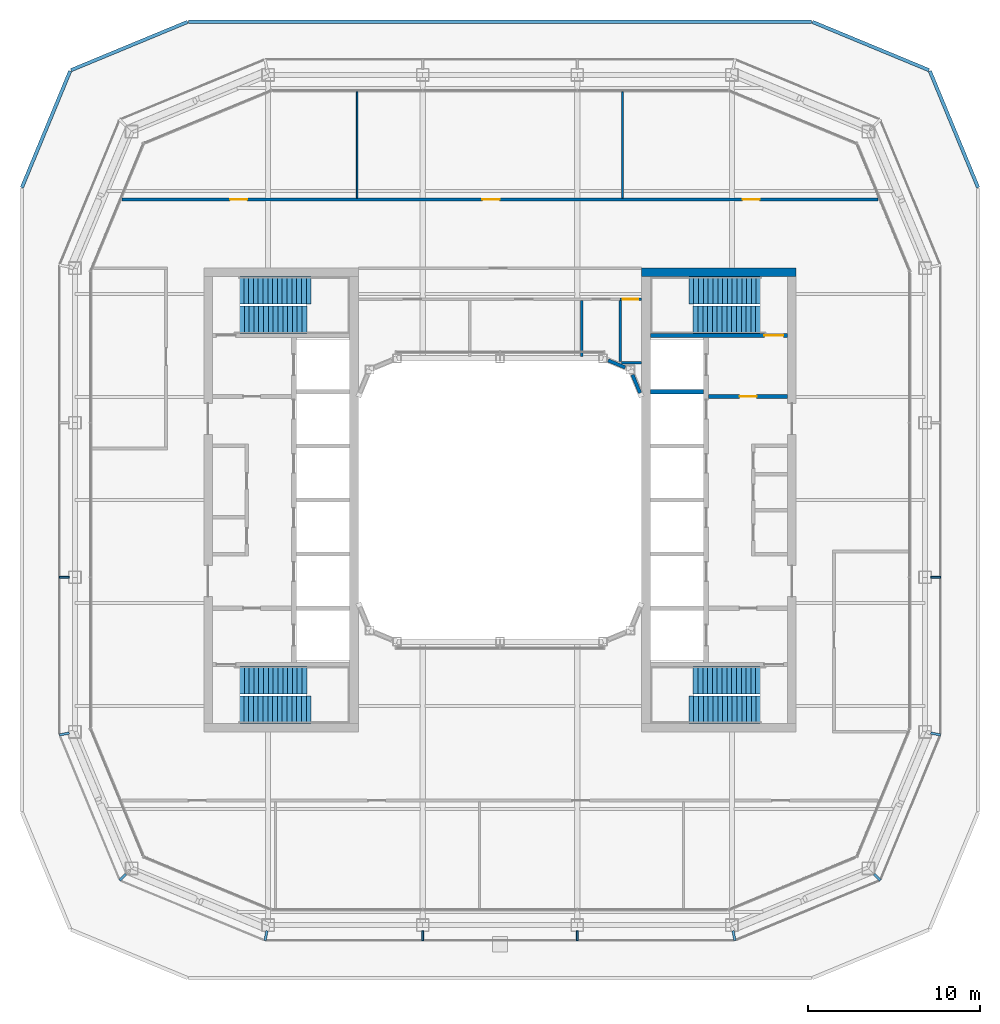
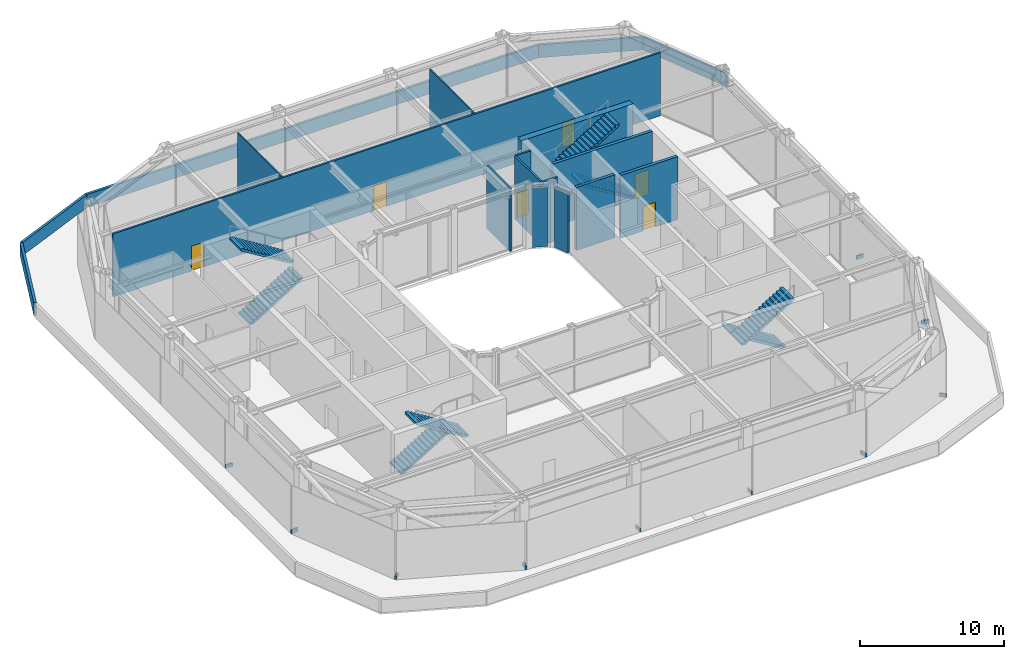
# One storey, part 12 of 17: 18 walls, 10 discrete accessories, 8 stair flights, 6 doors, 6 openings, 4 elements without a shape of their own.
"""IFC4 building model written with IfcOpenShell, lengths in metres."""

from ifc_helpers import new_model, si_unit, direction, frame, frame_2d, origin, origin_2d, place, context, subcontext, project, spatial, polyline, rectangle, outline, extrude, material, layer, layer_set, type_object, element, fill, aggregate, save


model = new_model("IFC4")

# Units and contexts
model_context = context("Model", 3, precision=1e-05, world=origin(), true_north=direction((0.0, 1.0)))
body_context = subcontext(model_context, "Body", "Model", "MODEL_VIEW")
ifc_project = project(units=[si_unit("LENGTHUNIT", "METRE"), si_unit("AREAUNIT", "SQUARE_METRE"), si_unit("VOLUMEUNIT", "CUBIC_METRE"), si_unit("PLANEANGLEUNIT", "RADIAN"), si_unit("MASSUNIT", "GRAM", prefix="KILO")], contexts=[model_context])

# Site, building, storey
site_placement = place(None, origin())
site = spatial("IfcSite", under=ifc_project, at=site_placement, CompositionType="ELEMENT")
building_placement = place(site_placement, origin())
building = spatial("IfcBuilding", under=site, at=building_placement, Name="Siwar Civic Tower", CompositionType="ELEMENT")
storey_placement = place(building_placement, frame((0.0, 0.0, 284.199951171875)))
storey = spatial("IfcBuildingStorey", under=building, at=storey_placement, Name="L61", CompositionType="ELEMENT", Elevation=284.199951171875)

# Wall
ifc_material_1 = material(Name="Gypsum board on steel studs", Category="steel")
ifc_layer_1 = layer(ifc_material_1, 0.14990234375)
ifc_layer_set_1 = layer_set([ifc_layer_1], Name="Gypsum board on steel studs")
wall_type_1 = type_object("IfcWallType", Name="COMPARTMENT PARTITION 150 EI 60", PredefinedType="PARTITIONING", material=ifc_layer_set_1)
wall_1_placement = place(storey_placement, frame((7.0849609375, 7.9951171875, 0.0), z_axis=(0.0, 0.0, 1.0), x_axis=(1.0, 0.0, 0.0)))
element("IfcWall", 1, at=wall_1_placement, inside=storey, type_object=wall_type_1, Name="L61/wall/P05", PredefinedType="PARTITIONING", context=body_context, shape_type="SweptSolid", body=[
    extrude(rectangle(XDim=1.1650390625, YDim=0.14990234375, at=frame_2d((0.58251953125, 0.0))), origin(), (0.0, 0.0, 1.0), 5.35009765625),
])

# Wall, opening, door
wall_2_placement = place(storey_placement, frame((7.0, 11.699951171875, 0.0), z_axis=(0.0, 0.0, 1.0), x_axis=(1.0, 0.0, 0.0)))
wall_2 = element("IfcWall", 2, at=wall_2_placement, inside=storey, type_object=wall_type_1, Name="L61/wall/P07", PredefinedType="PARTITIONING", context=body_context, shape_type="SweptSolid", body=[
    extrude(rectangle(XDim=1.25, YDim=0.14990234375, at=frame_2d((0.625, 0.0))), origin(), (0.0, 0.0, 1.0), 5.35009765625),
])
opening_1_placement = place(wall_2_placement, frame((0.14990234375, 0.0, 0.0)))
opening_1 = element("IfcOpeningElement", 3, at=opening_1_placement, cuts=wall_2, Name="Opening D4", PredefinedType="OPENING", context=body_context, shape_type="SweptSolid", body=[
    extrude(rectangle(XDim=0.89990234375, YDim=2.10009765625, at=frame_2d((0.449951171875, 1.050048828125))), frame((0.0, 0.0849609375, 0.0), z_axis=(0.0, -1.0, 0.0), x_axis=(1.0, 0.0, 0.0)), (0.0, 0.0, 1.0), 0.169921875),
])
ifc_material_2 = material(Name="Timber, painted", Category="wood")
door_type_1 = type_object("IfcDoorType", Name="DOOR 900 X 2100 FD60", OperationType="SINGLE_SWING_LEFT", PredefinedType="DOOR", material=ifc_material_2)
door_1_placement = place(opening_1_placement, origin())
door_1 = element("IfcDoor", 4, at=door_1_placement, inside=storey, type_object=door_type_1, Name="L61-D12", OperationType="SINGLE_SWING_RIGHT", OverallHeight=2.10009765625, OverallWidth=0.89990234375, PredefinedType="DOOR", context=body_context, shape_type="SweptSolid", body=[
    extrude(rectangle(XDim=0.89990234375, YDim=2.10009765625, at=frame_2d((0.449951171875, 1.050048828125))), frame((0.0, 0.02490234375, 0.0), z_axis=(0.0, -1.0, 0.0), x_axis=(1.0, 0.0, 0.0)), (0.0, 0.0, 1.0), 0.050048828125),
])
fill(opening_1, door_1)

# Wall
wall_3_placement = place(storey_placement, frame((7.0, 8.070068359375, 0.0), z_axis=(0.0, 0.0, 1.0), x_axis=(0.0, 1.0, 0.0)))
element("IfcWall", 5, at=wall_3_placement, inside=storey, type_object=wall_type_1, Name="L61/wall/P17", PredefinedType="PARTITIONING", context=body_context, shape_type="SweptSolid", body=[
    extrude(rectangle(XDim=3.554931640625, YDim=0.14990234375, at=frame_2d((1.77734375, 0.0))), origin(), (0.0, 0.0, 1.0), 5.35009765625),
])

# Wall, opening, door
ifc_material_3 = material(Name="Concrete C60/75", Category="concrete")
ifc_layer_2 = layer(ifc_material_3, 0.25)
ifc_layer_set_2 = layer_set([ifc_layer_2], Name="Concrete C60/75")
wall_type_2 = type_object("IfcWallType", Name="CORE-WALL-RC250", PredefinedType="SHEAR", material=ifc_layer_set_2)
wall_4_placement = place(storey_placement, frame((12.14990234375, 6.02490234375, 0.0), z_axis=(0.0, 0.0, 1.0), x_axis=(1.0, 0.0, 0.0)))
wall_4 = element("IfcWall", 6, at=wall_4_placement, inside=storey, type_object=wall_type_2, Name="Core wall E", PredefinedType="SHEAR", context=body_context, shape_type="SweptSolid", body=[
    extrude(rectangle(XDim=4.60009765625, YDim=0.25, at=frame_2d((2.300048828125, 0.0))), origin(), (0.0, 0.0, 1.0), 5.35009765625),
])
opening_2_placement = place(wall_4_placement, frame((1.800048828125, 0.0, 0.0)))
opening_2 = element("IfcOpeningElement", 7, at=opening_2_placement, cuts=wall_4, Name="Opening L61-CE01", PredefinedType="OPENING", context=body_context, shape_type="SweptSolid", body=[
    extrude(rectangle(XDim=1.0, YDim=2.10009765625, at=frame_2d((0.5, 1.050048828125))), frame((0.0, 0.135009765625, 0.0), z_axis=(0.0, -1.0, 0.0), x_axis=(1.0, 0.0, 0.0)), (0.0, 0.0, 1.0), 0.27001953125),
])
ifc_material_4 = material(Name="Steel door leaf", Category="steel")
door_type_2 = type_object("IfcDoorType", Name="CORE-DOOR-FD30S", OperationType="SINGLE_SWING_LEFT", PredefinedType="DOOR", material=ifc_material_4)
door_2_placement = place(opening_2_placement, origin())
door_2 = element("IfcDoor", 8, at=door_2_placement, inside=storey, type_object=door_type_2, Name="Firefighting lobby door L61-CE01", OperationType="SINGLE_SWING_RIGHT", OverallHeight=2.10009765625, OverallWidth=1.0, PredefinedType="DOOR", context=body_context, shape_type="SweptSolid", body=[
    extrude(rectangle(XDim=1.0, YDim=2.10009765625, at=frame_2d((0.5, 1.050048828125))), frame((0.0, 0.02490234375, 0.0), z_axis=(0.0, -1.0, 0.0), x_axis=(1.0, 0.0, 0.0)), (0.0, 0.0, 1.0), 0.050048828125),
])
fill(opening_2, door_2)

# Wall
wall_5_placement = place(storey_placement, frame((8.75, 6.300048828125, 0.0), z_axis=(0.0, 0.0, 1.0), x_axis=(1.0, 0.0, 0.0)))
element("IfcWall", 9, at=wall_5_placement, inside=storey, type_object=wall_type_2, Name="Core wall E", PredefinedType="SHEAR", context=body_context, shape_type="SweptSolid", body=[
    extrude(rectangle(XDim=3.10009765625, YDim=0.25, at=frame_2d((1.550048828125, 0.0))), origin(), (0.0, 0.0, 1.0), 5.35009765625),
])

# Wall, opening, door
wall_6_placement = place(storey_placement, frame((8.75, 9.574951171875, 0.0), z_axis=(0.0, 0.0, 1.0), x_axis=(1.0, 0.0, 0.0)))
wall_6 = element("IfcWall", 10, at=wall_6_placement, inside=storey, type_object=wall_type_2, Name="Core wall E", PredefinedType="SHEAR", context=body_context, shape_type="SweptSolid", body=[
    extrude(rectangle(XDim=8.0, YDim=0.25, at=frame_2d((4.0, 0.0))), origin(), (0.0, 0.0, 1.0), 5.35009765625),
])
opening_3_placement = place(wall_6_placement, frame((6.64990234375, 0.0, 0.0)))
opening_3 = element("IfcOpeningElement", 11, at=opening_3_placement, cuts=wall_6, Name="Opening L61-CE03", PredefinedType="OPENING", context=body_context, shape_type="SweptSolid", body=[
    extrude(rectangle(XDim=1.10009765625, YDim=2.10009765625, at=frame_2d((0.550048828125, 1.050048828125))), frame((0.0, 0.135009765625, 0.0), z_axis=(0.0, -1.0, 0.0), x_axis=(1.0, 0.0, 0.0)), (0.0, 0.0, 1.0), 0.27001953125),
])
ifc_material_5 = material(Name="Steel door leaf", Category="steel")
door_type_3 = type_object("IfcDoorType", Name="CORE-DOOR-FD60S", OperationType="SINGLE_SWING_LEFT", PredefinedType="DOOR", material=ifc_material_5)
door_3_placement = place(opening_3_placement, origin())
door_3 = element("IfcDoor", 12, at=door_3_placement, inside=storey, type_object=door_type_3, Name="Stair door L61-CE03", OperationType="SINGLE_SWING_LEFT", OverallHeight=2.10009765625, OverallWidth=1.10009765625, PredefinedType="DOOR", context=body_context, shape_type="SweptSolid", body=[
    extrude(rectangle(XDim=1.10009765625, YDim=2.10009765625, at=frame_2d((0.550048828125, 1.050048828125))), frame((0.0, 0.02490234375, 0.0), z_axis=(0.0, -1.0, 0.0), x_axis=(1.0, 0.0, 0.0)), (0.0, 0.0, 1.0), 0.050048828125),
])
fill(opening_3, door_3)

# Wall
ifc_material_6 = material(Name="Concrete C60/75", Category="concrete")
ifc_layer_3 = layer(ifc_material_6, 0.5)
ifc_layer_set_3 = layer_set([ifc_layer_3], Name="Concrete C60/75")
wall_type_3 = type_object("IfcWallType", Name="CORE-WALL-RC500", PredefinedType="SHEAR", material=ifc_layer_set_3)
wall_7_placement = place(storey_placement, frame((8.25, 13.25, 0.0), z_axis=(0.0, 0.0, 1.0), x_axis=(1.0, 0.0, 0.0)))
element("IfcWall", 13, at=wall_7_placement, inside=storey, type_object=wall_type_3, Name="Core wall E", PredefinedType="SHEAR", context=body_context, shape_type="SweptSolid", body=[
    extrude(rectangle(XDim=9.0, YDim=0.5, at=frame_2d((4.5, 0.0))), origin(), (0.0, 0.0, 1.0), 5.35009765625),
])

# Wall, openings, doors
ifc_material_7 = material(Name="Gypsum board on steel studs", Category="steel")
ifc_layer_4 = layer(ifc_material_7, 0.14990234375)
ifc_layer_set_4 = layer_set([ifc_layer_4], Name="Gypsum board on steel studs")
wall_type_4 = type_object("IfcWallType", Name="CORRIDOR PARTITION 150 EI 30", PredefinedType="PARTITIONING", material=ifc_layer_set_4)
wall_8_placement = place(storey_placement, frame((-22.02099609375, 17.5, 0.0), z_axis=(0.0, 0.0, 1.0), x_axis=(1.0, 0.0, 0.0)))
wall_8 = element("IfcWall", 14, at=wall_8_placement, inside=storey, type_object=wall_type_4, Name="L61/wall/P10", PredefinedType="PARTITIONING", context=body_context, shape_type="SweptSolid", body=[
    extrude(rectangle(XDim=44.0419921875, YDim=0.14990234375, at=frame_2d((22.02099609375, 0.0))), origin(), (0.0, 0.0, 1.0), 5.35009765625),
])
opening_4_placement = place(wall_8_placement, frame((6.301025390625, 0.0, 0.0)))
opening_4 = element("IfcOpeningElement", 15, at=opening_4_placement, cuts=wall_8, Name="Opening D1", PredefinedType="OPENING", context=body_context, shape_type="SweptSolid", body=[
    extrude(rectangle(XDim=1.0, YDim=2.10009765625, at=frame_2d((0.5, 1.050048828125))), frame((0.0, 0.0849609375, 0.0), z_axis=(0.0, -1.0, 0.0), x_axis=(1.0, 0.0, 0.0)), (0.0, 0.0, 1.0), 0.169921875),
])
opening_5_placement = place(wall_8_placement, frame((21.0009765625, 0.0, 0.0)))
opening_5 = element("IfcOpeningElement", 16, at=opening_5_placement, cuts=wall_8, Name="Opening D1", PredefinedType="OPENING", context=body_context, shape_type="SweptSolid", body=[
    extrude(rectangle(XDim=1.0, YDim=2.10009765625, at=frame_2d((0.5, 1.050048828125))), frame((0.0, 0.0849609375, 0.0), z_axis=(0.0, -1.0, 0.0), x_axis=(1.0, 0.0, 0.0)), (0.0, 0.0, 1.0), 0.169921875),
])
opening_6_placement = place(wall_8_placement, frame((36.14208984375, 0.0, 0.0)))
opening_6 = element("IfcOpeningElement", 17, at=opening_6_placement, cuts=wall_8, Name="Opening D1", PredefinedType="OPENING", context=body_context, shape_type="SweptSolid", body=[
    extrude(rectangle(XDim=1.0, YDim=2.10009765625, at=frame_2d((0.5, 1.050048828125))), frame((0.0, 0.0849609375, 0.0), z_axis=(0.0, -1.0, 0.0), x_axis=(1.0, 0.0, 0.0)), (0.0, 0.0, 1.0), 0.169921875),
])
ifc_material_8 = material(Name="Timber, painted", Category="wood")
door_type_4 = type_object("IfcDoorType", Name="DOOR 1000 X 2100 FD30", OperationType="SINGLE_SWING_LEFT", PredefinedType="DOOR", material=ifc_material_8)
door_4_placement = place(opening_4_placement, origin())
door_4 = element("IfcDoor", 18, at=door_4_placement, inside=storey, type_object=door_type_4, Name="L61-D01", OperationType="SINGLE_SWING_LEFT", OverallHeight=2.10009765625, OverallWidth=1.0, PredefinedType="DOOR", context=body_context, shape_type="SweptSolid", body=[
    extrude(rectangle(XDim=1.0, YDim=2.10009765625, at=frame_2d((0.5, 1.050048828125))), frame((0.0, 0.02490234375, 0.0), z_axis=(0.0, -1.0, 0.0), x_axis=(1.0, 0.0, 0.0)), (0.0, 0.0, 1.0), 0.050048828125),
])
fill(opening_4, door_4)
door_5_placement = place(opening_5_placement, origin())
door_5 = element("IfcDoor", 19, at=door_5_placement, inside=storey, type_object=door_type_4, Name="L61-D02", OperationType="SINGLE_SWING_RIGHT", OverallHeight=2.10009765625, OverallWidth=1.0, PredefinedType="DOOR", context=body_context, shape_type="SweptSolid", body=[
    extrude(rectangle(XDim=1.0, YDim=2.10009765625, at=frame_2d((0.5, 1.050048828125))), frame((0.0, 0.02490234375, 0.0), z_axis=(0.0, -1.0, 0.0), x_axis=(1.0, 0.0, 0.0)), (0.0, 0.0, 1.0), 0.050048828125),
])
fill(opening_5, door_5)
door_6_placement = place(opening_6_placement, origin())
door_6 = element("IfcDoor", 20, at=door_6_placement, inside=storey, type_object=door_type_4, Name="L61-D03", OperationType="SINGLE_SWING_LEFT", OverallHeight=2.10009765625, OverallWidth=1.0, PredefinedType="DOOR", context=body_context, shape_type="SweptSolid", body=[
    extrude(rectangle(XDim=1.0, YDim=2.10009765625, at=frame_2d((0.5, 1.050048828125))), frame((0.0, 0.02490234375, 0.0), z_axis=(0.0, -1.0, 0.0), x_axis=(1.0, 0.0, 0.0)), (0.0, 0.0, 1.0), 0.050048828125),
])
fill(opening_6, door_6)

# Walls
wall_9_placement = place(storey_placement, frame((4.75, 8.3701171875, 0.0), z_axis=(0.0, 0.0, 1.0), x_axis=(0.0, 1.0, 0.0)))
element("IfcWall", 21, at=wall_9_placement, inside=storey, type_object=wall_type_4, Name="L61/wall/P16", PredefinedType="PARTITIONING", context=body_context, shape_type="SweptSolid", body=[
    extrude(rectangle(XDim=3.2548828125, YDim=0.14990234375, at=frame_2d((1.62744140625, 0.0))), origin(), (0.0, 0.0, 1.0), 5.35009765625),
])
ifc_material_9 = material(Name="Aluminium clad insulated panel", Category="aluminium")
ifc_layer_5 = layer(ifc_material_9, 0.199951171875)
ifc_layer_set_5 = layer_set([ifc_layer_5], Name="Aluminium clad insulated panel")
wall_type_5 = type_object("IfcWallType", Name="ENV-PARAPET", PredefinedType="PARAPET", material=ifc_layer_set_5)
for number, where, z_axis, x_axis, name in (
    (22, (27.84228515625, 18.1875, 0.0), (0.0, 0.0, 1.0), (-0.382682396439, 0.923879961605, 0.0), "Parapet L60 roof 1.6"),
    (23, (24.976318359375, 25.0302734375, 0.0), (0.0, 0.0, 1.0), (-0.923879961605, 0.382682396439, 0.0), "Parapet L60 roof 1.7"),
):
    element("IfcWall", number, at=place(storey_placement, frame(where, z_axis=z_axis, x_axis=x_axis)), inside=storey, type_object=wall_type_5, Name=name, PredefinedType="PARAPET", context=body_context, shape_type="SweptSolid", body=[
        extrude(rectangle(XDim=7.34814453125, YDim=0.199951171875, at=frame_2d((3.674072265625, 0.0))), origin(), (0.0, 0.0, 1.0), 1.10009765625),
    ])
wall_10_placement = place(storey_placement, frame((18.149169921875, 27.85009765625, 0.0), z_axis=(0.0, 0.0, 1.0), x_axis=(-1.0, 0.0, 0.0)))
element("IfcWall", 24, at=wall_10_placement, inside=storey, type_object=wall_type_5, Name="Parapet L60 roof 1.8", PredefinedType="PARAPET", context=body_context, shape_type="SweptSolid", body=[
    extrude(rectangle(XDim=36.29833984375, YDim=0.199951171875, at=frame_2d((18.149169921875, 0.0))), origin(), (0.0, 0.0, 1.0), 1.10009765625),
])
for number, where, z_axis, x_axis, name in (
    (25, (-18.1875, 27.84228515625, 0.0), (0.0, 0.0, 1.0), (-0.923879961605, -0.382682396439, 0.0), "Parapet L60 roof 1.9"),
    (26, (-25.0302734375, 24.976318359375, 0.0), (0.0, 0.0, 1.0), (-0.382682396439, -0.923879961605, 0.0), "Parapet L60 roof 1.10"),
):
    element("IfcWall", number, at=place(storey_placement, frame(where, z_axis=z_axis, x_axis=x_axis)), inside=storey, type_object=wall_type_5, Name=name, PredefinedType="PARAPET", context=body_context, shape_type="SweptSolid", body=[
        extrude(rectangle(XDim=7.34814453125, YDim=0.199951171875, at=frame_2d((3.674072265625, 0.0))), origin(), (0.0, 0.0, 1.0), 1.10009765625),
    ])
ifc_material_10 = material(Name="Aluminium clad insulated panel", Category="aluminium")
ifc_layer_6 = layer(ifc_material_10, 0.199951171875)
ifc_layer_set_6 = layer_set([ifc_layer_6], Name="Aluminium clad insulated panel")
wall_type_6 = type_object("IfcWallType", Name="ENV-WALL-WELL", PredefinedType="STANDARD", material=ifc_layer_set_6)
wall_11_placement = place(storey_placement, frame((8.154296875, 6.23095703125, 0.0), z_axis=(0.0, 0.0, 1.0), x_axis=(-0.382571404949, 0.923925927829, 0.0)))
element("IfcWall", 27, at=wall_11_placement, inside=storey, type_object=wall_type_6, Name="Light well corner wall NE1", PredefinedType="STANDARD", context=body_context, shape_type="SweptSolid", body=[
    extrude(rectangle(XDim=1.1455078125, YDim=0.199951171875, at=frame_2d((0.57275390625, 0.0))), origin(), (0.0, 0.0, 1.0), 5.010009765625),
])
wall_12_placement = place(storey_placement, frame((7.289306640625, 7.716064453125, 0.0), z_axis=(0.0, 0.0, 1.0), x_axis=(-0.923919409248, 0.382587147216, 0.0)))
element("IfcWall", 28, at=wall_12_placement, inside=storey, type_object=wall_type_6, Name="Light well corner wall NE2", PredefinedType="STANDARD", context=body_context, shape_type="SweptSolid", body=[
    extrude(rectangle(XDim=1.06884765625, YDim=0.199951171875, at=frame_2d((0.534423828125, 0.0))), origin(), (0.0, 0.0, 1.0), 5.010009765625),
])
ifc_material_11 = material(Name="Gypsum board on steel studs", Category="steel")
ifc_layer_7 = layer(ifc_material_11, 0.10009765625)
ifc_layer_set_7 = layer_set([ifc_layer_7], Name="Gypsum board on steel studs")
wall_type_7 = type_object("IfcWallType", Name="PARTITION 100 GYPSUM", PredefinedType="PARTITIONING", material=ifc_layer_set_7)
for number, where, z_axis, x_axis, name in (
    (29, (-8.320068359375, 17.574951171875, 0.0), (0.0, 0.0, 1.0), (0.0, 1.0, 0.0), "L61/wall/P13"),
    (30, (7.1298828125, 17.574951171875, 0.0), (0.0, 0.0, 1.0), (0.0, 1.0, 0.0), "L61/wall/P18"),
):
    element("IfcWall", number, at=place(storey_placement, frame(where, z_axis=z_axis, x_axis=x_axis)), inside=storey, type_object=wall_type_7, Name=name, PredefinedType="PARTITIONING", context=body_context, shape_type="SweptSolid", body=[
        extrude(rectangle(XDim=6.18505859375, YDim=0.10009765625, at=frame_2d((3.092529296875, 0.0))), origin(), (0.0, 0.0, 1.0), 5.35009765625),
    ])

# Stair, stair flights
ifc_material_12 = material(Name="Concrete C40/50", Category="concrete")
stair_type = type_object("IfcStairType", Name="CORE-STAIR", PredefinedType="TWO_STRAIGHT_RUN_STAIR", material=ifc_material_12)
stair_1_placement = place(storey_placement, origin())
stair_1 = element("IfcStair", 31, at=stair_1_placement, inside=storey, type_object=stair_type, Name="Exit stair ST1", PredefinedType="TWO_STRAIGHT_RUN_STAIR")
ifc_material_13 = material(Name="Concrete C40/50", Category="concrete")
stair_flight_type = type_object("IfcStairFlightType", Name="CORE-STAIR-FLIGHT", PredefinedType="STRAIGHT", material=ifc_material_13)
stair_flight_1_placement = place(storey_placement, frame((-15.449951171875, 10.5, 0.0), z_axis=(0.0, 0.0, 1.0), x_axis=(1.0, 0.0, 0.0)))
stair_flight_1 = element("IfcStairFlight", 32, at=stair_flight_1_placement, type_object=stair_flight_type, Name="ST1 flight 1", NumberOfRisers=16, NumberOfTreads=15, PredefinedType="STRAIGHT", RiserHeight=0.171875, TreadLength=0.28, context=body_context, shape_type="SweptSolid", body=[
    extrude(outline(polyline([(0.0, 0.0), (0.0, 0.171875), (0.280029296875, 0.171875), (0.280029296875, 0.34375), (0.56005859375, 0.34375), (0.56005859375, 0.515625), (0.840087890625, 0.515625), (0.840087890625, 0.6875), (1.1201171875, 0.6875), (1.1201171875, 0.859375), (1.39990234375, 0.859375), (1.39990234375, 1.03125), (1.679931640625, 1.03125), (1.679931640625, 1.203125), (1.9599609375, 1.203125), (1.9599609375, 1.375), (2.239990234375, 1.375), (2.239990234375, 1.546875), (2.52001953125, 1.546875), (2.52001953125, 1.71875), (2.800048828125, 1.71875), (2.800048828125, 1.890625), (3.080078125, 1.890625), (3.080078125, 2.0625), (3.360107421875, 2.0625), (3.360107421875, 2.234375), (3.639892578125, 2.234375), (3.639892578125, 2.40625), (3.919921875, 2.40625), (3.919921875, 2.578125), (4.199951171875, 2.578125), (4.199951171875, 2.75), (4.199951171875, 2.40234375), (0.28662109375, 0.0), (0.0, 0.0)])), frame((0.0, 0.800048828125, 0.0), z_axis=(0.0, -1.0, 0.0), x_axis=(1.0, 0.0, 0.0)), (0.0, 0.0, 1.0), 1.60009765625),
])
stair_flight_2_placement = place(storey_placement, frame((-11.0, 12.199951171875, 2.75), z_axis=(0.0, 0.0, 1.0), x_axis=(-1.0, 0.0, 0.0)))
stair_flight_2 = element("IfcStairFlight", 33, at=stair_flight_2_placement, type_object=stair_flight_type, Name="ST1 flight 2", NumberOfRisers=16, NumberOfTreads=15, PredefinedType="STRAIGHT", RiserHeight=0.171875, TreadLength=0.28, context=body_context, shape_type="SweptSolid", body=[
    extrude(outline(polyline([(0.0, 0.0), (0.0, 0.171875), (0.280029296875, 0.171875), (0.280029296875, 0.34375), (0.56005859375, 0.34375), (0.56005859375, 0.515625), (0.840087890625, 0.515625), (0.840087890625, 0.6875), (1.1201171875, 0.6875), (1.1201171875, 0.859375), (1.39990234375, 0.859375), (1.39990234375, 1.03125), (1.679931640625, 1.03125), (1.679931640625, 1.203125), (1.9599609375, 1.203125), (1.9599609375, 1.375), (2.239990234375, 1.375), (2.239990234375, 1.546875), (2.52001953125, 1.546875), (2.52001953125, 1.71875), (2.800048828125, 1.71875), (2.800048828125, 1.890625), (3.080078125, 1.890625), (3.080078125, 2.0625), (3.360107421875, 2.0625), (3.360107421875, 2.234375), (3.639892578125, 2.234375), (3.639892578125, 2.40625), (3.919921875, 2.40625), (3.919921875, 2.578125), (4.199951171875, 2.578125), (4.199951171875, 2.75), (4.199951171875, 2.40234375), (0.28662109375, 0.0), (0.0, 0.0)])), frame((0.0, 0.800048828125, 0.0), z_axis=(0.0, -1.0, 0.0), x_axis=(1.0, 0.0, 0.0)), (0.0, 0.0, 1.0), 1.60009765625),
])
aggregate(stair_1, [stair_flight_1, stair_flight_2])

stair_2_placement = place(storey_placement, origin())
stair_2 = element("IfcStair", 34, at=stair_2_placement, inside=storey, type_object=stair_type, Name="Exit stair ST2", PredefinedType="TWO_STRAIGHT_RUN_STAIR")
stair_flight_3_placement = place(storey_placement, frame((-15.449951171875, -10.5, 0.0), z_axis=(0.0, 0.0, 1.0), x_axis=(1.0, 0.0, 0.0)))
stair_flight_3 = element("IfcStairFlight", 35, at=stair_flight_3_placement, type_object=stair_flight_type, Name="ST2 flight 1", NumberOfRisers=16, NumberOfTreads=15, PredefinedType="STRAIGHT", RiserHeight=0.171875, TreadLength=0.28, context=body_context, shape_type="SweptSolid", body=[
    extrude(outline(polyline([(0.0, 0.0), (0.0, 0.171875), (0.280029296875, 0.171875), (0.280029296875, 0.34375), (0.56005859375, 0.34375), (0.56005859375, 0.515625), (0.840087890625, 0.515625), (0.840087890625, 0.6875), (1.1201171875, 0.6875), (1.1201171875, 0.859375), (1.39990234375, 0.859375), (1.39990234375, 1.03125), (1.679931640625, 1.03125), (1.679931640625, 1.203125), (1.9599609375, 1.203125), (1.9599609375, 1.375), (2.239990234375, 1.375), (2.239990234375, 1.546875), (2.52001953125, 1.546875), (2.52001953125, 1.71875), (2.800048828125, 1.71875), (2.800048828125, 1.890625), (3.080078125, 1.890625), (3.080078125, 2.0625), (3.360107421875, 2.0625), (3.360107421875, 2.234375), (3.639892578125, 2.234375), (3.639892578125, 2.40625), (3.919921875, 2.40625), (3.919921875, 2.578125), (4.199951171875, 2.578125), (4.199951171875, 2.75), (4.199951171875, 2.40234375), (0.28662109375, 0.0), (0.0, 0.0)])), frame((0.0, 0.800048828125, 0.0), z_axis=(0.0, -1.0, 0.0), x_axis=(1.0, 0.0, 0.0)), (0.0, 0.0, 1.0), 1.60009765625),
])
stair_flight_4_placement = place(storey_placement, frame((-11.0, -12.199951171875, 2.75), z_axis=(0.0, 0.0, 1.0), x_axis=(-1.0, 0.0, 0.0)))
stair_flight_4 = element("IfcStairFlight", 36, at=stair_flight_4_placement, type_object=stair_flight_type, Name="ST2 flight 2", NumberOfRisers=16, NumberOfTreads=15, PredefinedType="STRAIGHT", RiserHeight=0.171875, TreadLength=0.28, context=body_context, shape_type="SweptSolid", body=[
    extrude(outline(polyline([(0.0, 0.0), (0.0, 0.171875), (0.280029296875, 0.171875), (0.280029296875, 0.34375), (0.56005859375, 0.34375), (0.56005859375, 0.515625), (0.840087890625, 0.515625), (0.840087890625, 0.6875), (1.1201171875, 0.6875), (1.1201171875, 0.859375), (1.39990234375, 0.859375), (1.39990234375, 1.03125), (1.679931640625, 1.03125), (1.679931640625, 1.203125), (1.9599609375, 1.203125), (1.9599609375, 1.375), (2.239990234375, 1.375), (2.239990234375, 1.546875), (2.52001953125, 1.546875), (2.52001953125, 1.71875), (2.800048828125, 1.71875), (2.800048828125, 1.890625), (3.080078125, 1.890625), (3.080078125, 2.0625), (3.360107421875, 2.0625), (3.360107421875, 2.234375), (3.639892578125, 2.234375), (3.639892578125, 2.40625), (3.919921875, 2.40625), (3.919921875, 2.578125), (4.199951171875, 2.578125), (4.199951171875, 2.75), (4.199951171875, 2.40234375), (0.28662109375, 0.0), (0.0, 0.0)])), frame((0.0, 0.800048828125, 0.0), z_axis=(0.0, -1.0, 0.0), x_axis=(1.0, 0.0, 0.0)), (0.0, 0.0, 1.0), 1.60009765625),
])
aggregate(stair_2, [stair_flight_3, stair_flight_4])

stair_3_placement = place(storey_placement, origin())
stair_3 = element("IfcStair", 37, at=stair_3_placement, inside=storey, type_object=stair_type, Name="Exit stair ST3", PredefinedType="TWO_STRAIGHT_RUN_STAIR")
stair_flight_5_placement = place(storey_placement, frame((15.449951171875, 10.5, 0.0), z_axis=(0.0, 0.0, 1.0), x_axis=(-1.0, 0.0, 0.0)))
stair_flight_5 = element("IfcStairFlight", 38, at=stair_flight_5_placement, type_object=stair_flight_type, Name="ST3 flight 1", NumberOfRisers=16, NumberOfTreads=15, PredefinedType="STRAIGHT", RiserHeight=0.171875, TreadLength=0.28, context=body_context, shape_type="SweptSolid", body=[
    extrude(outline(polyline([(0.0, 0.0), (0.0, 0.171875), (0.280029296875, 0.171875), (0.280029296875, 0.34375), (0.56005859375, 0.34375), (0.56005859375, 0.515625), (0.840087890625, 0.515625), (0.840087890625, 0.6875), (1.1201171875, 0.6875), (1.1201171875, 0.859375), (1.39990234375, 0.859375), (1.39990234375, 1.03125), (1.679931640625, 1.03125), (1.679931640625, 1.203125), (1.9599609375, 1.203125), (1.9599609375, 1.375), (2.239990234375, 1.375), (2.239990234375, 1.546875), (2.52001953125, 1.546875), (2.52001953125, 1.71875), (2.800048828125, 1.71875), (2.800048828125, 1.890625), (3.080078125, 1.890625), (3.080078125, 2.0625), (3.360107421875, 2.0625), (3.360107421875, 2.234375), (3.639892578125, 2.234375), (3.639892578125, 2.40625), (3.919921875, 2.40625), (3.919921875, 2.578125), (4.199951171875, 2.578125), (4.199951171875, 2.75), (4.199951171875, 2.40234375), (0.28662109375, 0.0), (0.0, 0.0)])), frame((0.0, 0.800048828125, 0.0), z_axis=(0.0, -1.0, 0.0), x_axis=(1.0, 0.0, 0.0)), (0.0, 0.0, 1.0), 1.60009765625),
])
stair_flight_6_placement = place(storey_placement, frame((11.0, 12.199951171875, 2.75), z_axis=(0.0, 0.0, 1.0), x_axis=(1.0, 0.0, 0.0)))
stair_flight_6 = element("IfcStairFlight", 39, at=stair_flight_6_placement, type_object=stair_flight_type, Name="ST3 flight 2", NumberOfRisers=16, NumberOfTreads=15, PredefinedType="STRAIGHT", RiserHeight=0.171875, TreadLength=0.28, context=body_context, shape_type="SweptSolid", body=[
    extrude(outline(polyline([(0.0, 0.0), (0.0, 0.171875), (0.280029296875, 0.171875), (0.280029296875, 0.34375), (0.56005859375, 0.34375), (0.56005859375, 0.515625), (0.840087890625, 0.515625), (0.840087890625, 0.6875), (1.1201171875, 0.6875), (1.1201171875, 0.859375), (1.39990234375, 0.859375), (1.39990234375, 1.03125), (1.679931640625, 1.03125), (1.679931640625, 1.203125), (1.9599609375, 1.203125), (1.9599609375, 1.375), (2.239990234375, 1.375), (2.239990234375, 1.546875), (2.52001953125, 1.546875), (2.52001953125, 1.71875), (2.800048828125, 1.71875), (2.800048828125, 1.890625), (3.080078125, 1.890625), (3.080078125, 2.0625), (3.360107421875, 2.0625), (3.360107421875, 2.234375), (3.639892578125, 2.234375), (3.639892578125, 2.40625), (3.919921875, 2.40625), (3.919921875, 2.578125), (4.199951171875, 2.578125), (4.199951171875, 2.75), (4.199951171875, 2.40234375), (0.28662109375, 0.0), (0.0, 0.0)])), frame((0.0, 0.800048828125, 0.0), z_axis=(0.0, -1.0, 0.0), x_axis=(1.0, 0.0, 0.0)), (0.0, 0.0, 1.0), 1.60009765625),
])
aggregate(stair_3, [stair_flight_5, stair_flight_6])

stair_4_placement = place(storey_placement, origin())
stair_4 = element("IfcStair", 40, at=stair_4_placement, inside=storey, type_object=stair_type, Name="Exit stair ST4", PredefinedType="TWO_STRAIGHT_RUN_STAIR")
stair_flight_7_placement = place(storey_placement, frame((15.449951171875, -10.5, 0.0), z_axis=(0.0, 0.0, 1.0), x_axis=(-1.0, 0.0, 0.0)))
stair_flight_7 = element("IfcStairFlight", 41, at=stair_flight_7_placement, type_object=stair_flight_type, Name="ST4 flight 1", NumberOfRisers=16, NumberOfTreads=15, PredefinedType="STRAIGHT", RiserHeight=0.171875, TreadLength=0.28, context=body_context, shape_type="SweptSolid", body=[
    extrude(outline(polyline([(0.0, 0.0), (0.0, 0.171875), (0.280029296875, 0.171875), (0.280029296875, 0.34375), (0.56005859375, 0.34375), (0.56005859375, 0.515625), (0.840087890625, 0.515625), (0.840087890625, 0.6875), (1.1201171875, 0.6875), (1.1201171875, 0.859375), (1.39990234375, 0.859375), (1.39990234375, 1.03125), (1.679931640625, 1.03125), (1.679931640625, 1.203125), (1.9599609375, 1.203125), (1.9599609375, 1.375), (2.239990234375, 1.375), (2.239990234375, 1.546875), (2.52001953125, 1.546875), (2.52001953125, 1.71875), (2.800048828125, 1.71875), (2.800048828125, 1.890625), (3.080078125, 1.890625), (3.080078125, 2.0625), (3.360107421875, 2.0625), (3.360107421875, 2.234375), (3.639892578125, 2.234375), (3.639892578125, 2.40625), (3.919921875, 2.40625), (3.919921875, 2.578125), (4.199951171875, 2.578125), (4.199951171875, 2.75), (4.199951171875, 2.40234375), (0.28662109375, 0.0), (0.0, 0.0)])), frame((0.0, 0.800048828125, 0.0), z_axis=(0.0, -1.0, 0.0), x_axis=(1.0, 0.0, 0.0)), (0.0, 0.0, 1.0), 1.60009765625),
])
stair_flight_8_placement = place(storey_placement, frame((11.0, -12.199951171875, 2.75), z_axis=(0.0, 0.0, 1.0), x_axis=(1.0, 0.0, 0.0)))
stair_flight_8 = element("IfcStairFlight", 42, at=stair_flight_8_placement, type_object=stair_flight_type, Name="ST4 flight 2", NumberOfRisers=16, NumberOfTreads=15, PredefinedType="STRAIGHT", RiserHeight=0.171875, TreadLength=0.28, context=body_context, shape_type="SweptSolid", body=[
    extrude(outline(polyline([(0.0, 0.0), (0.0, 0.171875), (0.280029296875, 0.171875), (0.280029296875, 0.34375), (0.56005859375, 0.34375), (0.56005859375, 0.515625), (0.840087890625, 0.515625), (0.840087890625, 0.6875), (1.1201171875, 0.6875), (1.1201171875, 0.859375), (1.39990234375, 0.859375), (1.39990234375, 1.03125), (1.679931640625, 1.03125), (1.679931640625, 1.203125), (1.9599609375, 1.203125), (1.9599609375, 1.375), (2.239990234375, 1.375), (2.239990234375, 1.546875), (2.52001953125, 1.546875), (2.52001953125, 1.71875), (2.800048828125, 1.71875), (2.800048828125, 1.890625), (3.080078125, 1.890625), (3.080078125, 2.0625), (3.360107421875, 2.0625), (3.360107421875, 2.234375), (3.639892578125, 2.234375), (3.639892578125, 2.40625), (3.919921875, 2.40625), (3.919921875, 2.578125), (4.199951171875, 2.578125), (4.199951171875, 2.75), (4.199951171875, 2.40234375), (0.28662109375, 0.0), (0.0, 0.0)])), frame((0.0, 0.800048828125, 0.0), z_axis=(0.0, -1.0, 0.0), x_axis=(1.0, 0.0, 0.0)), (0.0, 0.0, 1.0), 1.60009765625),
])
aggregate(stair_4, [stair_flight_7, stair_flight_8])

# Discrete accessories
ifc_material_14 = material(Name="Stainless steel 316", Category="steel")
discrete_accessory_type = type_object("IfcDiscreteAccessoryType", Name="ENV-BRACKET", PredefinedType="BRACKET", material=ifc_material_14)
for number, where, z_axis, x_axis, name in (
    (43, (25.364990234375, -4.5, 0.0), (0.0, 0.0, 1.0), (1.0, 0.0, 0.0), "Bracket outer skin joint E-01"),
    (44, (-4.5, -25.364990234375, 0.0), (0.0, 0.0, 1.0), (0.0, -1.0, 0.0), "Bracket outer skin joint S-01"),
    (45, (4.5, -25.364990234375, 0.0), (0.0, 0.0, 1.0), (0.0, -1.0, 0.0), "Bracket outer skin joint S-02"),
):
    element("IfcDiscreteAccessory", number, at=place(storey_placement, frame(where, z_axis=z_axis, x_axis=x_axis)), inside=storey, type_object=discrete_accessory_type, Name=name, PredefinedType="BRACKET", context=body_context, shape_type="SweptSolid", body=[
        extrude(rectangle(XDim=0.570068359375, YDim=0.10009765625, at=origin_2d()), origin(), (0.0, 0.0, 1.0), 0.300048828125),
    ])
for number, where, z_axis, x_axis, name in (
    (46, (-13.622314453125, -25.365234375, 0.0), (0.0, 0.0, 1.0), (-0.195090322016, -0.980785280403, 0.0), "Bracket outer skin joint V00"),
    (47, (13.622314453125, -25.365234375, 0.0), (0.0, 0.0, 1.0), (0.195090322016, -0.980785280403, 0.0), "Bracket outer skin joint V01"),
):
    element("IfcDiscreteAccessory", number, at=place(storey_placement, frame(where, z_axis=z_axis, x_axis=x_axis)), inside=storey, type_object=discrete_accessory_type, Name=name, PredefinedType="BRACKET", context=body_context, shape_type="SweptSolid", body=[
        extrude(rectangle(XDim=0.580810546875, YDim=0.13720703125, at=origin_2d()), origin(), (0.0, 0.0, 1.0), 0.300048828125),
    ])
discrete_accessory_1_placement = place(storey_placement, frame((21.96728515625, -21.96728515625, 0.0), z_axis=(0.0, 0.0, 1.0), x_axis=(0.707106781187, -0.707106781187, 0.0)))
element("IfcDiscreteAccessory", 48, at=discrete_accessory_1_placement, inside=storey, type_object=discrete_accessory_type, Name="Bracket outer skin joint V02", PredefinedType="BRACKET", context=body_context, shape_type="SweptSolid", body=[
    extrude(rectangle(XDim=0.499267578125, YDim=0.12939453125, at=origin_2d()), origin(), (0.0, 0.0, 1.0), 0.300048828125),
])
for number, where, z_axis, x_axis, name in (
    (49, (25.365234375, -13.622314453125, 0.0), (0.0, 0.0, 1.0), (0.980785280403, -0.195090322016, 0.0), "Bracket outer skin joint V03"),
    (50, (-25.365234375, -13.622314453125, 0.0), (0.0, 0.0, 1.0), (-0.980785280403, -0.195090322016, 0.0), "Bracket outer skin joint V10"),
):
    element("IfcDiscreteAccessory", number, at=place(storey_placement, frame(where, z_axis=z_axis, x_axis=x_axis)), inside=storey, type_object=discrete_accessory_type, Name=name, PredefinedType="BRACKET", context=body_context, shape_type="SweptSolid", body=[
        extrude(rectangle(XDim=0.580810546875, YDim=0.13720703125, at=origin_2d()), origin(), (0.0, 0.0, 1.0), 0.300048828125),
    ])
discrete_accessory_2_placement = place(storey_placement, frame((-21.96728515625, -21.96728515625, 0.0), z_axis=(0.0, 0.0, 1.0), x_axis=(-0.707106781187, -0.707106781187, 0.0)))
element("IfcDiscreteAccessory", 51, at=discrete_accessory_2_placement, inside=storey, type_object=discrete_accessory_type, Name="Bracket outer skin joint V11", PredefinedType="BRACKET", context=body_context, shape_type="SweptSolid", body=[
    extrude(rectangle(XDim=0.499267578125, YDim=0.12939453125, at=origin_2d()), origin(), (0.0, 0.0, 1.0), 0.300048828125),
])
discrete_accessory_3_placement = place(storey_placement, frame((-25.364990234375, -4.5, 0.0), z_axis=(0.0, 0.0, 1.0), x_axis=(-1.0, 0.0, 0.0)))
element("IfcDiscreteAccessory", 52, at=discrete_accessory_3_placement, inside=storey, type_object=discrete_accessory_type, Name="Bracket outer skin joint W-02", PredefinedType="BRACKET", context=body_context, shape_type="SweptSolid", body=[
    extrude(rectangle(XDim=0.570068359375, YDim=0.10009765625, at=origin_2d()), origin(), (0.0, 0.0, 1.0), 0.300048828125),
])

save(model, "model.ifc")
